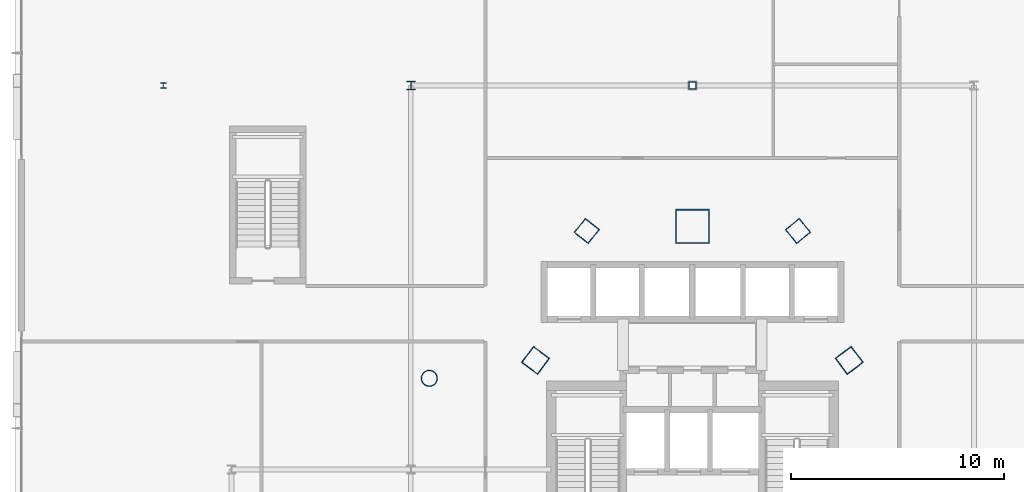
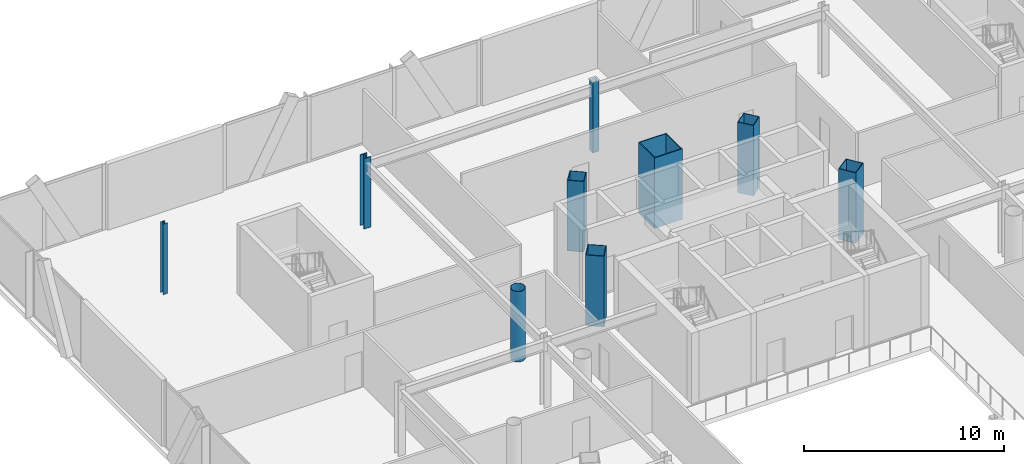
# One storey, part 3 of 42: 9 columns.
"""IFC4 building model written with IfcOpenShell, lengths in metres."""

from ifc_helpers import new_model, si_unit, direction, frame, origin, origin_2d, place, context, subcontext, project, spatial, hollow_rectangle, hollow_circle, i_section, extrude, material, material_profile, profile_set, type_object, element, save


model = new_model("IFC4")

# Units and contexts
model_context = context("Model", 3, precision=1e-05, world=origin(), true_north=direction((0.0, 1.0)))
body_context = subcontext(model_context, "Body", "Model", "MODEL_VIEW")
ifc_project = project(units=[si_unit("LENGTHUNIT", "METRE"), si_unit("AREAUNIT", "SQUARE_METRE"), si_unit("VOLUMEUNIT", "CUBIC_METRE"), si_unit("PLANEANGLEUNIT", "RADIAN"), si_unit("MASSUNIT", "GRAM", prefix="KILO")], contexts=[model_context])

# Site, building, storey
site_placement = place(None, origin())
site = spatial("IfcSite", under=ifc_project, at=site_placement, CompositionType="ELEMENT")
building_placement = place(site_placement, origin())
building = spatial("IfcBuilding", under=site, at=building_placement, Name="Orvanel Arch Residences", CompositionType="ELEMENT")
storey_placement = place(building_placement, frame((0.0, 0.0, 9.800048828125)))
storey = spatial("IfcBuildingStorey", under=building, at=storey_placement, Name="L02", CompositionType="ELEMENT", Elevation=9.800048828125)

# Columns
ifc_material_1 = material(Name="Structural steel AS/NZS 1163 C450L0 (Grade 450)", Category="steel")
ifc_material_profile_1 = material_profile(ifc_material_1, hollow_circle(Radius=0.381103515625, WallThickness=0.02197265625, at=origin_2d()), Name="CHS762x22")
ifc_profile_set_1 = profile_set([ifc_material_profile_1], Name="Structural steel AS/NZS 1163 C450L0 (Grade 450)")
column_type_1 = type_object("IfcColumnType", Name="CC-762", PredefinedType="COLUMN", material=ifc_profile_set_1)
column_1_placement = place(storey_placement, frame((20.669921875, 34.27099609375, 0.0), z_axis=(0.0, 0.0, 1.0), x_axis=(1.0, 0.0, 0.0)))
element("IfcColumn", 1, at=column_1_placement, inside=storey, type_object=column_type_1, Name="L02 Low-Rise Buttress Tube Column 01", PredefinedType="COLUMN", context=body_context, shape_type="SweptSolid", body=[
    extrude(hollow_circle(Radius=0.381103515625, WallThickness=0.02197265625, at=origin_2d()), origin(), (0.0, 0.0, 1.0), 4.300048828125),
])
ifc_material_2 = material(Name="Structural steel AS/NZS 3678 Grade 450", Category="steel")
ifc_material_profile_2 = material_profile(ifc_material_2, hollow_rectangle(XDim=1.60009765625, YDim=1.60009765625, WallThickness=0.050048828125, at=origin_2d()), Name="BOX1600x1600x50")
ifc_profile_set_2 = profile_set([ifc_material_profile_2], Name="Structural steel AS/NZS 3678 Grade 450")
column_type_2 = type_object("IfcColumnType", Name="MC-1600", PredefinedType="COLUMN", material=ifc_profile_set_2)
column_2_placement = place(storey_placement, frame((33.0, 41.39794921875, 0.0), z_axis=(0.0, 0.0, 1.0), x_axis=(1.0, 0.0, 0.0)))
element("IfcColumn", 2, at=column_2_placement, inside=storey, type_object=column_type_2, Name="L02 Corner Composite Mega-Column 1", PredefinedType="COLUMN", context=body_context, shape_type="SweptSolid", body=[
    extrude(hollow_rectangle(XDim=1.60009765625, YDim=1.60009765625, WallThickness=0.050048828125, at=origin_2d()), origin(), (0.0, 0.0, 1.0), 4.300048828125),
])
ifc_material_3 = material(Name="Structural steel AS/NZS 1163 C350L0 (Grade 350)", Category="steel")
ifc_material_profile_3 = material_profile(ifc_material_3, hollow_rectangle(XDim=0.35009765625, YDim=0.35009765625, WallThickness=0.01611328125, at=origin_2d()), Name="SHS350x350x16")
ifc_profile_set_3 = profile_set([ifc_material_profile_3], Name="Structural steel AS/NZS 1163 C350L0 (Grade 350)")
column_type_3 = type_object("IfcColumnType", Name="OC-350SHS", PredefinedType="COLUMN", material=ifc_profile_set_3)
column_3_placement = place(storey_placement, frame((33.0, 48.0, 0.0), z_axis=(0.0, 0.0, 1.0), x_axis=(1.0, 0.0, 0.0)))
element("IfcColumn", 3, at=column_3_placement, inside=storey, type_object=column_type_3, Name="L02 Auxiliary Podium Column 07", PredefinedType="COLUMN", context=body_context, shape_type="SweptSolid", body=[
    extrude(hollow_rectangle(XDim=0.35009765625, YDim=0.35009765625, WallThickness=0.01611328125, at=origin_2d()), origin(), (0.0, 0.0, 1.0), 4.300048828125),
])
ifc_material_4 = material(Name="Structural steel AS/NZS 3679.1 Grade 300 (300 MPa)", Category="steel")
ifc_material_profile_4 = material_profile(ifc_material_4, i_section(OverallWidth=0.256103515625, OverallDepth=0.260009765625, WebThickness=0.010498046875, FlangeThickness=0.017333984375, at=origin_2d()), Name="250UC89.5")
ifc_profile_set_4 = profile_set([ifc_material_profile_4], Name="Structural steel AS/NZS 3679.1 Grade 300 (300 MPa)")
column_type_4 = type_object("IfcColumnType", Name="SC-250UC", PredefinedType="COLUMN", material=ifc_profile_set_4)
column_4_placement = place(storey_placement, frame((8.199951171875, 48.0, 0.0), z_axis=(0.0, 0.0, 1.0), x_axis=(1.0, 0.0, 0.0)))
element("IfcColumn", 4, at=column_4_placement, inside=storey, type_object=column_type_4, Name="L02 Auxiliary Podium Column 05", PredefinedType="COLUMN", context=body_context, shape_type="SweptSolid", body=[
    extrude(i_section(OverallWidth=0.256103515625, OverallDepth=0.260009765625, WebThickness=0.010498046875, FlangeThickness=0.017333984375, at=origin_2d()), origin(), (0.0, 0.0, 1.0), 4.300048828125),
])
ifc_material_profile_5 = material_profile(ifc_material_4, i_section(OverallWidth=0.39990234375, OverallDepth=0.409912109375, WebThickness=0.02490234375, FlangeThickness=0.035888671875, at=origin_2d()), Name="400WC328")
ifc_profile_set_5 = profile_set([ifc_material_profile_5], Name="Structural steel AS/NZS 3679.1 Grade 300 (300 MPa)")
column_type_5 = type_object("IfcColumnType", Name="SC-400WC", PredefinedType="COLUMN", material=ifc_profile_set_5)
column_5_placement = place(storey_placement, frame((19.800048828125, 48.0, 0.0), z_axis=(0.0, 0.0, 1.0), x_axis=(1.0, 0.0, 0.0)))
element("IfcColumn", 5, at=column_5_placement, inside=storey, type_object=column_type_5, Name="L02 Podium Grid Column 07", PredefinedType="COLUMN", context=body_context, shape_type="SweptSolid", body=[
    extrude(i_section(OverallWidth=0.39990234375, OverallDepth=0.409912109375, WebThickness=0.02490234375, FlangeThickness=0.035888671875, at=origin_2d()), origin(), (0.0, 0.0, 1.0), 4.300048828125),
])
ifc_material_5 = material(Name="Structural steel AS/NZS 3678 Grade 350", Category="steel")
ifc_material_profile_6 = material_profile(ifc_material_5, hollow_rectangle(XDim=0.85009765625, YDim=0.85009765625, WallThickness=0.028076171875, at=origin_2d()), Name="BOX850x850x28")
ifc_profile_set_6 = profile_set([ifc_material_profile_6], Name="Structural steel AS/NZS 3678 Grade 350")
column_type_6 = type_object("IfcColumnType", Name="TC-850", PredefinedType="COLUMN", material=ifc_profile_set_6)
for number, where, z_axis, x_axis, name in (
    (6, (28.050048828125, 41.177978515625, 0.0), (0.0, 0.0, 1.0), (0.623879596709, 0.781520472419, 0.0), "L02 Mid-Rise Buttress Tube Column 01"),
    (7, (37.949951171875, 41.177978515625, 0.0), (0.0, 0.0, 1.0), (-0.623879596709, 0.781520472419, 0.0), "L02 Mid-Rise Buttress Tube Column 06"),
):
    element("IfcColumn", number, at=place(storey_placement, frame(where, z_axis=z_axis, x_axis=x_axis)), inside=storey, type_object=column_type_6, Name=name, PredefinedType="COLUMN", context=body_context, shape_type="SweptSolid", body=[
        extrude(hollow_rectangle(XDim=0.85009765625, YDim=0.85009765625, WallThickness=0.028076171875, at=origin_2d()), origin(), (0.0, 0.0, 1.0), 4.300048828125),
    ])
ifc_material_profile_7 = material_profile(ifc_material_5, hollow_rectangle(XDim=0.949951171875, YDim=0.949951171875, WallThickness=0.031982421875, at=origin_2d()), Name="BOX950x950x32")
ifc_profile_set_7 = profile_set([ifc_material_profile_7], Name="Structural steel AS/NZS 3678 Grade 350")
column_type_7 = type_object("IfcColumnType", Name="TC-950", PredefinedType="COLUMN", material=ifc_profile_set_7)
for number, where, z_axis, x_axis, name in (
    (8, (25.64794921875, 35.113037109375, 0.0), (0.0, 0.0, 1.0), (0.600420225326, 0.799684658487, 0.0), "L02 High-Rise Tube Column 01"),
    (9, (40.35205078125, 35.113037109375, 0.0), (0.0, 0.0, 1.0), (-0.600420225326, 0.799684658487, 0.0), "L02 High-Rise Tube Column 09"),
):
    element("IfcColumn", number, at=place(storey_placement, frame(where, z_axis=z_axis, x_axis=x_axis)), inside=storey, type_object=column_type_7, Name=name, PredefinedType="COLUMN", context=body_context, shape_type="SweptSolid", body=[
        extrude(hollow_rectangle(XDim=0.949951171875, YDim=0.949951171875, WallThickness=0.031982421875, at=origin_2d()), origin(), (0.0, 0.0, 1.0), 4.300048828125),
    ])

save(model, "model.ifc")
